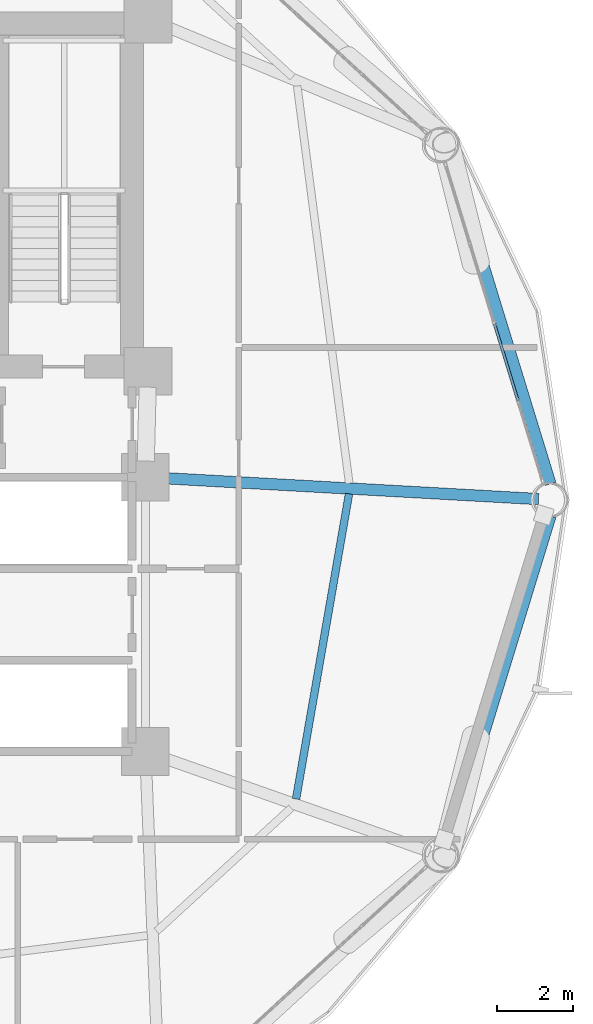
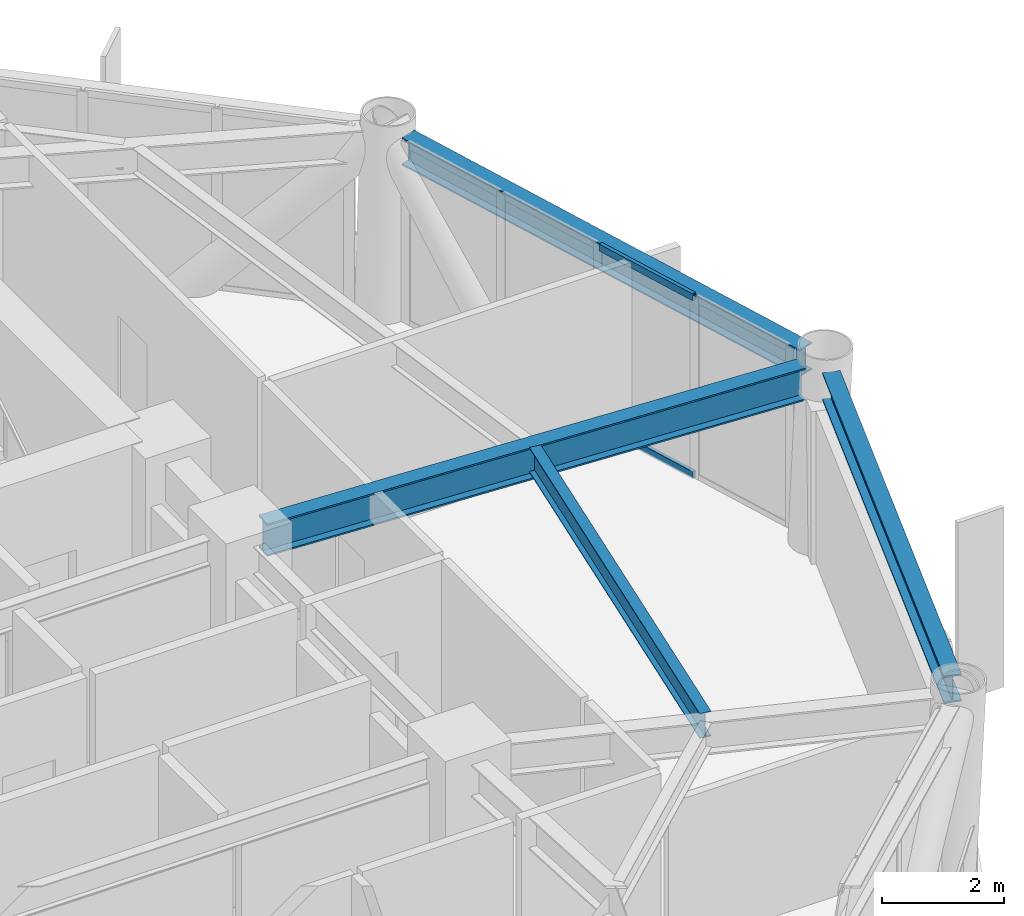
# One storey, part 15 of 25: 4 beams, 2 members, 1 element without a shape of its own.
"""IFC4 building model written with IfcOpenShell, lengths in metres."""

import ifcopenshell
import ifcopenshell.guid

model = None  # the IFC model being written
_history = None  # IfcOwnerHistory: only IFC2X3 demands one
_inside = {}  # id of a spatial element -> (the spatial element, [elements in it])
_under = {}  # id of a project, library or spatial element -> (it, [spatial elements below it])
_declared = {}  # id of a project -> (the project, [libraries it declares])
_typed = {}  # id of a type object -> (the type object, [elements of that type])
_made_of = {}  # id of a material, layer set ... -> (it, [elements and type objects made of it])


def new_model(schema):
    """Start an empty IFC model of exactly this schema.

    Asked for "IFC4X3", IfcOpenShell would pick the latest addendum, in which some entities
    have other attributes; the version numbers below select the first issue.
    IFC2X3 requires an IfcOwnerHistory on every rooted entity: one is made here for all.
    """
    global model, _history
    if schema == "IFC4X3":
        model = ifcopenshell.file(schema_version=(4, 3, 0, 0))
    else:
        model = ifcopenshell.file(schema=schema)
    _inside.clear()
    _under.clear()
    _declared.clear()
    _typed.clear()
    _made_of.clear()
    _history = None
    if model.schema == "IFC2X3":
        org = make("IfcOrganization", Name="unknown")
        user = make(
            "IfcPersonAndOrganization",
            ThePerson=make("IfcPerson", FamilyName="unknown"),
            TheOrganization=org,
        )
        app = make(
            "IfcApplication",
            ApplicationDeveloper=org,
            Version="unknown",
            ApplicationFullName="unknown",
            ApplicationIdentifier="unknown",
        )
        _history = make(
            "IfcOwnerHistory",
            OwningUser=user,
            OwningApplication=app,
            ChangeAction="ADDED",
            CreationDate=0,
        )
    return model


def make(cls, **values):
    """One entity of the class cls with the attributes given. An attribute that is None is left unset."""
    return model.create_entity(
        cls, **{name: value for name, value in values.items() if value is not None}
    )


def rooted(cls, **values):
    """An entity with a GlobalId (a new one), such as an element, a storey or a relation."""
    return make(cls, GlobalId=ifcopenshell.guid.new(), OwnerHistory=_history, **values)


def si_unit(unit_type, name, prefix=None):
    """IfcSIUnit, for example si_unit("LENGTHUNIT", "METRE", prefix="MILLI")."""
    return make("IfcSIUnit", UnitType=unit_type, Prefix=prefix, Name=name)


def assignment(units):
    """IfcUnitAssignment: the units of a project."""
    return None if units is None else make("IfcUnitAssignment", Units=units)


def point(xyz):
    """IfcCartesianPoint."""
    return None if xyz is None else make("IfcCartesianPoint", Coordinates=xyz)


def direction(xyz):
    """IfcDirection."""
    return None if xyz is None else make("IfcDirection", DirectionRatios=xyz)


def frame(location, z_axis=None, x_axis=None):
    """IfcAxis2Placement3D, a coordinate frame: its origin and axes. An axis left out is left unset."""
    return make(
        "IfcAxis2Placement3D",
        Location=point(location),
        Axis=direction(z_axis),
        RefDirection=direction(x_axis),
    )


def frame_2d(location, x_axis=None):
    """IfcAxis2Placement2D, a coordinate frame in the plane: its origin and x axis."""
    return make(
        "IfcAxis2Placement2D", Location=point(location), RefDirection=direction(x_axis)
    )


def origin():
    """The frame at (0, 0, 0) with its axes left unset."""
    return frame((0.0, 0.0, 0.0))


def origin_2d():
    """The frame at (0, 0) in the plane with its x axis left unset."""
    return frame_2d((0.0, 0.0))


def place(relative_to, where):
    """IfcLocalPlacement: puts the frame where relative to a parent placement (None: the world)."""
    return make(
        "IfcLocalPlacement", PlacementRelTo=relative_to, RelativePlacement=where
    )


def context(
    kind, dimensions, precision=None, world=None, true_north=None, identifier=None
):
    """IfcGeometricRepresentationContext, for example the 3D "Model" context."""
    return make(
        "IfcGeometricRepresentationContext",
        ContextIdentifier=identifier,
        ContextType=kind,
        CoordinateSpaceDimension=dimensions,
        Precision=precision,
        WorldCoordinateSystem=world,
        TrueNorth=true_north,
    )


def subcontext(parent, identifier, kind, view, scale=None):
    """IfcGeometricRepresentationSubContext, for example "Body" below "Model"."""
    return make(
        "IfcGeometricRepresentationSubContext",
        ContextIdentifier=identifier,
        ContextType=kind,
        ParentContext=parent,
        TargetScale=scale,
        TargetView=view,
    )


def project(units=None, contexts=None):
    """IfcProject with its units and contexts."""
    return rooted(
        "IfcProject",
        Name="project",
        RepresentationContexts=contexts,
        UnitsInContext=assignment(units),
    )


def spatial(cls, under=None, at=None, **own):
    """A site, building, storey or space (cls), placed at a placement, below another one or the project."""
    s = rooted(cls, ObjectPlacement=at, **own)
    if under is not None:
        _under.setdefault(under.id(), (under, []))[1].append(s)
    return s


def profile(cls, at=None, kind="AREA", **sizes):
    """A parametric profile (cls). Its sizes go by their IFC names, for example OverallWidth=200.0."""
    return make(cls, ProfileType=kind, Position=at, **sizes)


def hollow_rectangle(**sizes):
    """IfcRectangleHollowProfileDef."""
    return profile("IfcRectangleHollowProfileDef", **sizes)


def i_section(**sizes):
    """IfcIShapeProfileDef."""
    return profile("IfcIShapeProfileDef", **sizes)


def extrude(swept, where, along, depth):
    """IfcExtrudedAreaSolid: the profile swept, set in the frame where, extruded along a direction by depth."""
    return make(
        "IfcExtrudedAreaSolid",
        SweptArea=swept,
        Position=where,
        ExtrudedDirection=direction(along),
        Depth=depth,
    )


def shape(context_of_items, identifier, shape_type, items):
    """IfcShapeRepresentation: the items that make up one representation, for example the "Body"."""
    return make(
        "IfcShapeRepresentation",
        ContextOfItems=context_of_items,
        RepresentationIdentifier=identifier,
        RepresentationType=shape_type,
        Items=items,
    )


def material(Name=None, Category=None):
    """IfcMaterial."""
    return make("IfcMaterial", Name=Name, Category=Category)


def layer(
    of_material, thickness, ventilated=None, Name=None, Category=None, Priority=None
):
    """IfcMaterialLayer: one layer of a wall or slab, of a material (None: an air gap)."""
    return make(
        "IfcMaterialLayer",
        Material=of_material,
        LayerThickness=thickness,
        IsVentilated=ventilated,
        Name=Name,
        Category=Category,
        Priority=Priority,
    )


def layer_set(layers, Name=None):
    """IfcMaterialLayerSet."""
    return make("IfcMaterialLayerSet", MaterialLayers=layers, LayerSetName=Name)


def material_profile(
    of_material, cross_section, Name=None, Category=None, Priority=None
):
    """IfcMaterialProfile: a cross section and its material."""
    return make(
        "IfcMaterialProfile",
        Name=Name,
        Material=of_material,
        Profile=cross_section,
        Priority=Priority,
        Category=Category,
    )


def profile_set(profiles, Name=None, composite=None):
    """IfcMaterialProfileSet."""
    return make(
        "IfcMaterialProfileSet",
        Name=Name,
        MaterialProfiles=profiles,
        CompositeProfile=composite,
    )


def made_of(thing, what):
    """Note that an element or type object is made of a material, layer set ...; save() writes the relation."""
    if what is not None:
        _made_of.setdefault(what.id(), (what, []))[1].append(thing)
    return thing


def type_object(cls, material=None, **own):
    """A type object (cls), such as IfcWallType, which elements share."""
    return made_of(rooted(cls, **own), material)


def element(
    cls,
    number,
    at=None,
    inside=None,
    cuts=None,
    type_object=None,
    material=None,
    context=None,
    identifier="Body",
    shape_type=None,
    held_by="IfcProductDefinitionShape",
    body=None,
    shapes=None,
    **own,
):
    """One element of the class cls, such as IfcWall. Its Tag is "e" and its number.

    at: its placement. inside: the storey or other place that contains it. cuts: it is an
    opening in that element (IfcRelVoidsElement). A single representation is given by context,
    identifier, shape_type and body (its items); several are given by shapes. held_by: the class
    of the entity that holds the representations. save() writes the other relations.
    """
    e = rooted(cls, Tag="e%d" % number, ObjectPlacement=at, **own)
    if body is not None:
        shapes = [shape(context, identifier, shape_type, body)]
    if shapes is not None:
        e.Representation = make(held_by, Representations=shapes)
    if inside is not None:
        _inside.setdefault(inside.id(), (inside, []))[1].append(e)
    if cuts is not None:
        rooted(
            "IfcRelVoidsElement", RelatingBuildingElement=cuts, RelatedOpeningElement=e
        )
    if type_object is not None:
        _typed.setdefault(type_object.id(), (type_object, []))[1].append(e)
    return made_of(e, material)


def aggregate(whole, parts):
    """IfcRelAggregates: a whole, such as a stair, and the parts it consists of."""
    return rooted("IfcRelAggregates", RelatingObject=whole, RelatedObjects=parts)


def save(model, path):
    """Write the relations noted so far, then the file.

    IfcRelAggregates (storeys below a building ...), IfcRelContainedInSpatialStructure (elements
    in a storey), IfcRelDefinesByType, IfcRelAssociatesMaterial and IfcRelDeclares: one each for
    every whole, place, type object, material and project.
    """
    for whole, parts in _under.values():
        aggregate(whole, parts)
    for where, things in _inside.values():
        rooted(
            "IfcRelContainedInSpatialStructure",
            RelatedElements=things,
            RelatingStructure=where,
        )
    for kind, things in _typed.values():
        rooted("IfcRelDefinesByType", RelatedObjects=things, RelatingType=kind)
    for what, things in _made_of.values():
        rooted("IfcRelAssociatesMaterial", RelatedObjects=things, RelatingMaterial=what)
    for by, libraries in _declared.values():
        rooted("IfcRelDeclares", RelatingContext=by, RelatedDefinitions=libraries)
    model.write(path)


model = new_model("IFC4")

# Units and contexts
model_context = context("Model", 3, precision=1e-05, world=origin(), true_north=direction((0.0, 1.0)))
body_context = subcontext(model_context, "Body", "Model", "MODEL_VIEW")
ifc_project = project(units=[si_unit("LENGTHUNIT", "METRE"), si_unit("AREAUNIT", "SQUARE_METRE"), si_unit("VOLUMEUNIT", "CUBIC_METRE"), si_unit("PLANEANGLEUNIT", "RADIAN"), si_unit("MASSUNIT", "GRAM", prefix="KILO")], contexts=[model_context])

# Site, building, storey
site_placement = place(None, origin())
site = spatial("IfcSite", under=ifc_project, at=site_placement, CompositionType="ELEMENT")
building_placement = place(site_placement, origin())
building = spatial("IfcBuilding", under=site, at=building_placement, Name="Varnakorn Sky Granary", CompositionType="ELEMENT")
storey_placement = place(building_placement, frame((0.0, 0.0, 35.39990234375)))
storey = spatial("IfcBuildingStorey", under=building, at=storey_placement, Name="L08", CompositionType="ELEMENT", Elevation=35.39990234375)

# Beams
ifc_material_1 = material(Name="Steel S355JR", Category="steel")
ifc_material_profile_1 = material_profile(ifc_material_1, i_section(OverallWidth=0.300048828125, OverallDepth=0.64990234375, WebThickness=0.01611328125, FlangeThickness=0.031005859375, at=origin_2d()), Name="HE 650 B")
ifc_profile_set_1 = profile_set([ifc_material_profile_1], Name="Steel S355JR")
beam_type_1 = type_object("IfcBeamType", Name="BM-RAD-Z1", PredefinedType="BEAM", material=ifc_profile_set_1)
beam_1_placement = place(storey_placement, frame((8.769287109375, 0.57666015625, 3.315185546875), z_axis=(0.998447745452, -0.055696495423, 0.0), x_axis=(0.055696495423, 0.998447745452, 0.0)))
element("IfcBeam", 1, at=beam_1_placement, inside=storey, type_object=beam_type_1, Name="Radial Floor Girder RG01 L08", PredefinedType="BEAM", context=body_context, shape_type="SweptSolid", body=[
    extrude(i_section(OverallWidth=0.300048828125, OverallDepth=0.64990234375, WebThickness=0.01611328125, FlangeThickness=0.031005859375, at=origin_2d()), origin(), (0.0, 0.0, 1.0), 9.910888671875),
])
ifc_material_profile_2 = material_profile(ifc_material_1, i_section(OverallWidth=0.199951171875, OverallDepth=0.5, WebThickness=0.01025390625, FlangeThickness=0.01611328125, at=origin_2d()), Name="IPE 500")
ifc_profile_set_2 = profile_set([ifc_material_profile_2], Name="Steel S355JR")
beam_type_2 = type_object("IfcBeamType", Name="BM-SEC-Z1", PredefinedType="BEAM", material=ifc_profile_set_2)
beam_2_placement = place(storey_placement, frame((12.302734375, -7.845458984375, 3.39013671875), z_axis=(0.171063555323, 0.985259996164, 0.0), x_axis=(-0.985259996164, 0.171063555323, 0.0)))
element("IfcBeam", 2, at=beam_2_placement, inside=storey, type_object=beam_type_2, Name="Secondary Floor Chord Beam MSB12 L08", PredefinedType="BEAM", context=body_context, shape_type="SweptSolid", body=[
    extrude(i_section(OverallWidth=0.199951171875, OverallDepth=0.5, WebThickness=0.01025390625, FlangeThickness=0.01611328125, at=origin_2d()), origin(), (0.0, 0.0, 1.0), 8.1279296875),
])
ifc_material_profile_3 = material_profile(ifc_material_1, i_section(OverallWidth=0.300048828125, OverallDepth=0.550048828125, WebThickness=0.014892578125, FlangeThickness=0.029052734375, at=origin_2d()), Name="HE 550 B")
ifc_profile_set_3 = profile_set([ifc_material_profile_3], Name="Steel S355JR")
beam_type_3 = type_object("IfcBeamType", Name="BM-SPD-Z1", PredefinedType="SPANDREL", material=ifc_profile_set_3)
for number, where, z_axis, x_axis, name in (
    (3, (18.976318359375, 0.422607421875, 3.364990234375), (-0.293462750827, 0.955970508895, 0.0), (-0.955970508895, -0.293462750827, 0.0), "Perimeter Spandrel Ring Beam RB01 L08"),
    (4, (16.358154296875, -8.951416015625, 3.364990234375), (0.293462750827, 0.955970508895, 0.0), (-0.955970508895, 0.293462750827, 0.0), "Perimeter Spandrel Ring Beam RB12 L08"),
):
    element("IfcBeam", number, at=place(storey_placement, frame(where, z_axis=z_axis, x_axis=x_axis)), inside=storey, type_object=beam_type_3, Name=name, PredefinedType="SPANDREL", context=body_context, shape_type="SweptSolid", body=[
        extrude(i_section(OverallWidth=0.300048828125, OverallDepth=0.550048828125, WebThickness=0.014892578125, FlangeThickness=0.029052734375, at=origin_2d()), origin(), (0.0, 0.0, 1.0), 8.921630859375),
    ])

# Curtain wall, members
ifc_material_2 = material(Name="Anodised Bronze Aluminium Alloy 6063-T6", Category="aluminium")
ifc_layer = layer(ifc_material_2, 0.18994140625, Name="Anodised Bronze Aluminium Alloy 6063-T6")
ifc_layer_set = layer_set([ifc_layer], Name="Anodised Bronze Aluminium Alloy 6063-T6")
curtain_wall_type = type_object("IfcCurtainWallType", Name="CW-FRM-1", PredefinedType="USERDEFINED", material=ifc_layer_set)
curtain_wall_placement = place(storey_placement, origin())
curtain_wall = element("IfcCurtainWall", 5, at=curtain_wall_placement, inside=storey, type_object=curtain_wall_type, Name="Unitised Curtain Wall CW3 CW-L08-B01", ObjectType="CURTAIN WALL", PredefinedType="USERDEFINED")
ifc_material_profile_4 = material_profile(ifc_material_2, hollow_rectangle(XDim=0.070068359375, YDim=0.139892578125, WallThickness=0.00341796875, at=origin_2d()), Name="ALU TRAN 70x140")
ifc_profile_set_4 = profile_set([ifc_material_profile_4], Name="Anodised Bronze Aluminium Alloy 6063-T6")
member_type = type_object("IfcMemberType", Name="CW-FRM-1-TRAN", PredefinedType="USERDEFINED", material=ifc_profile_set_4)
member_1_placement = place(storey_placement, frame((17.507568359375, 4.617919921875, 0.03515625), z_axis=(0.29333560989, -0.956009529226, 0.0), x_axis=(0.956009529226, 0.29333560989, 0.0)))
member_1 = element("IfcMember", 6, at=member_1_placement, type_object=member_type, Name="CW3 transom 3.1", ObjectType="TRANSOM", PredefinedType="USERDEFINED", context=body_context, shape_type="SweptSolid", body=[
    extrude(hollow_rectangle(XDim=0.070068359375, YDim=0.139892578125, WallThickness=0.00341796875, at=origin_2d()), origin(), (0.0, 0.0, 1.0), 2.10400390625),
])
member_2_placement = place(storey_placement, frame((17.507568359375, 4.617919921875, 3.60498046875), z_axis=(0.29333560989, -0.956009529226, 0.0), x_axis=(0.956009529226, 0.29333560989, 0.0)))
member_2 = element("IfcMember", 7, at=member_2_placement, type_object=member_type, Name="CW3 transom 3.2", ObjectType="TRANSOM", PredefinedType="USERDEFINED", context=body_context, shape_type="SweptSolid", body=[
    extrude(hollow_rectangle(XDim=0.070068359375, YDim=0.139892578125, WallThickness=0.00341796875, at=origin_2d()), origin(), (0.0, 0.0, 1.0), 2.10400390625),
])
aggregate(curtain_wall, [member_1, member_2])

save(model, "model.ifc")
